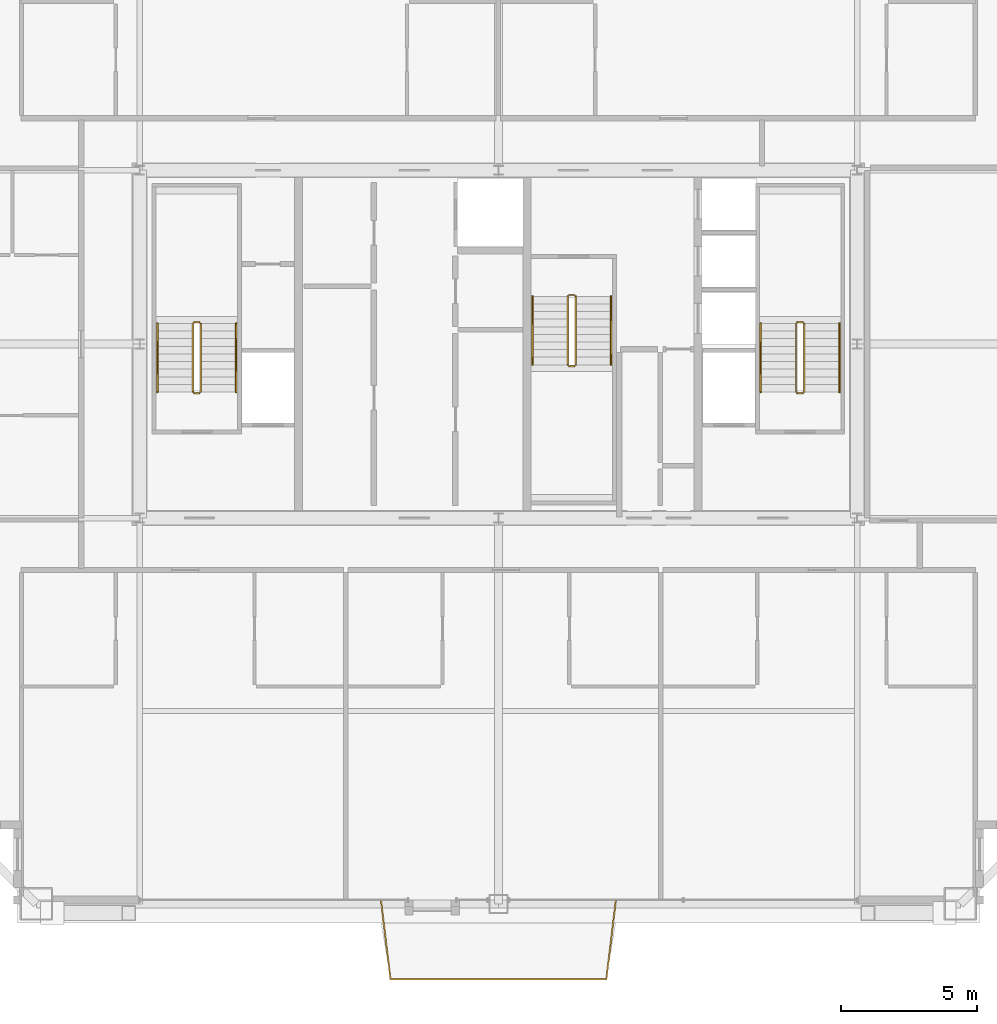
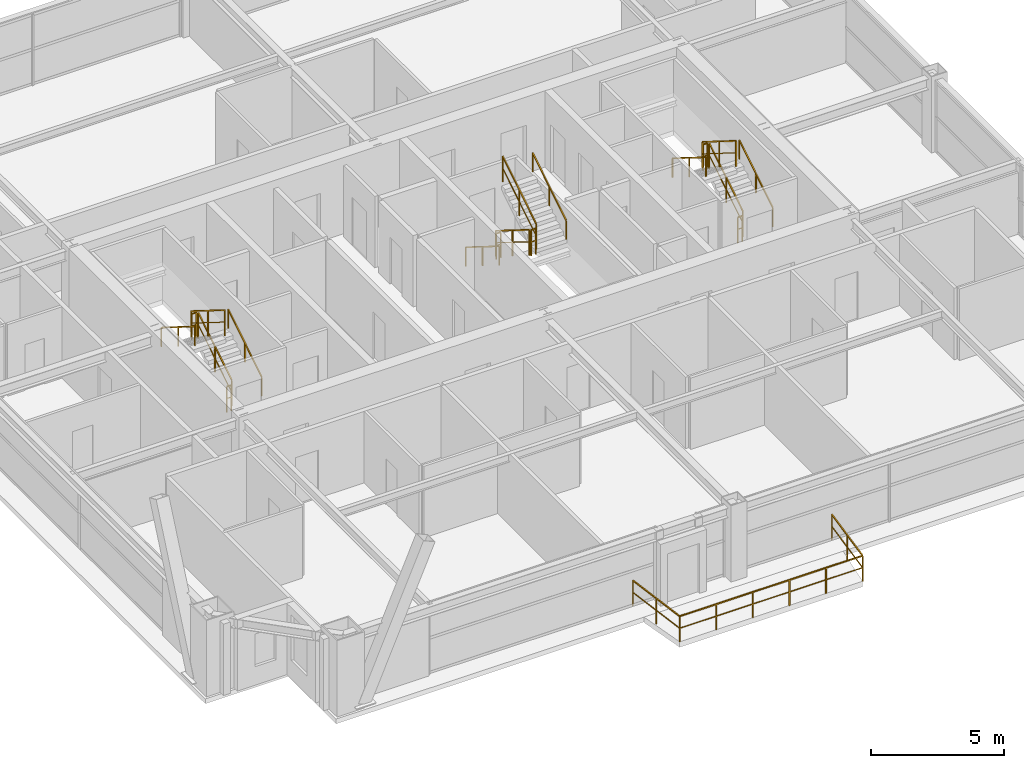
# One storey, part 35 of 35: 19 railings.
"""IFC4 building model written with IfcOpenShell, lengths in metres."""

from ifc_helpers import new_model, si_unit, direction, frame, origin, origin_2d, place, context, subcontext, project, spatial, rectangle, extrude, source, transform, mapped, material, layer, layer_set, type_object, element, save


model = new_model("IFC4")

# Units and contexts
model_context = context("Model", 3, precision=1e-05, world=origin(), true_north=direction((0.0, 1.0)))
body_context = subcontext(model_context, "Body", "Model", "MODEL_VIEW")
ifc_project = project(units=[si_unit("LENGTHUNIT", "METRE"), si_unit("AREAUNIT", "SQUARE_METRE"), si_unit("VOLUMEUNIT", "CUBIC_METRE"), si_unit("PLANEANGLEUNIT", "RADIAN"), si_unit("MASSUNIT", "GRAM", prefix="KILO"), si_unit("THERMODYNAMICTEMPERATUREUNIT", "KELVIN"), si_unit("POWERUNIT", "WATT")], contexts=[model_context])

# Site, building, storey
site_placement = place(None, origin())
site = spatial("IfcSite", under=ifc_project, at=site_placement, CompositionType="ELEMENT")
building_placement = place(site_placement, origin())
building = spatial("IfcBuilding", under=site, at=building_placement, Name="Yuzanri Waterfront Tower", CompositionType="ELEMENT")
storey_placement = place(building_placement, frame((0.0, 0.0, 271.60009765625)))
storey = spatial("IfcBuildingStorey", under=building, at=storey_placement, Name="L72", CompositionType="ELEMENT", Elevation=271.60009765625)

# Railings
ifc_material_1 = material(Name="Anodized Architectural Bronze", Category="metal")
ifc_layer_1 = layer(ifc_material_1, 0.080078125)
ifc_layer_set_1 = layer_set([ifc_layer_1], Name="Anodized Architectural Bronze")
railing_type_1 = type_object("IfcRailingType", Name="Laminated Glass and Bronze Balcony Guardrail 1200", PredefinedType="BALUSTRADE", material=ifc_layer_set_1)
shared_shape_1 = source(origin(), body_context, "Body", "SweptSolid", [
    extrude(rectangle(XDim=0.050048828125, YDim=0.050048828125, at=origin_2d()), frame((0.0, 0.0, 1.1748046875), z_axis=(0.118880429184, -0.992908577643, 0.0), x_axis=(0.992908577643, 0.118880429184, 0.0)), (0.0, 0.0, 1.0), 2.945068359375),
    extrude(rectangle(XDim=0.035888671875, YDim=0.030029296875, at=origin_2d()), frame((0.0, 0.0, 0.6240234375), z_axis=(0.118880429184, -0.992908577643, 0.0), x_axis=(0.992908577643, 0.118880429184, 0.0)), (0.0, 0.0, 1.0), 2.945068359375),
    extrude(rectangle(XDim=0.050048828125, YDim=0.050048828125, at=origin_2d()), frame((0.35009765625, -2.924072265625, 1.1748046875), z_axis=(1.0, 0.0, 0.0), x_axis=(0.0, 1.0, 0.0)), (0.0, 0.0, 1.0), 7.94580078125),
    extrude(rectangle(XDim=0.035888671875, YDim=0.030029296875, at=origin_2d()), frame((0.35009765625, -2.924072265625, 0.6240234375), z_axis=(1.0, 0.0, 0.0), x_axis=(0.0, 1.0, 0.0)), (0.0, 0.0, 1.0), 7.94580078125),
    extrude(rectangle(XDim=0.050048828125, YDim=0.050048828125, at=origin_2d()), frame((8.2958984375, -2.924072265625, 1.1748046875), z_axis=(0.118880429184, 0.992908577643, 0.0), x_axis=(-0.992908577643, 0.118880429184, 0.0)), (0.0, 0.0, 1.0), 2.945068359375),
    extrude(rectangle(XDim=0.035888671875, YDim=0.030029296875, at=origin_2d()), frame((8.2958984375, -2.924072265625, 0.6240234375), z_axis=(0.118880429184, 0.992908577643, 0.0), x_axis=(-0.992908577643, 0.118880429184, 0.0)), (0.0, 0.0, 1.0), 2.945068359375),
    extrude(rectangle(XDim=0.0458984375, YDim=0.0458984375, at=origin_2d()), origin(), (0.0, 0.0, 1.0), 1.14990234375),
    extrude(rectangle(XDim=0.0458984375, YDim=0.0458984375, at=origin_2d()), frame((0.175048828125, -1.4619140625, 0.0)), (0.0, 0.0, 1.0), 1.14990234375),
    extrude(rectangle(XDim=0.0458984375, YDim=0.0458984375, at=origin_2d()), frame((0.35009765625, -2.924072265625, 0.0)), (0.0, 0.0, 1.0), 1.14990234375),
    extrude(rectangle(XDim=0.0458984375, YDim=0.0458984375, at=origin_2d()), frame((1.939208984375, -2.924072265625, 0.0)), (0.0, 0.0, 1.0), 1.14990234375),
    extrude(rectangle(XDim=0.0458984375, YDim=0.0458984375, at=origin_2d()), frame((3.5283203125, -2.924072265625, 0.0)), (0.0, 0.0, 1.0), 1.14990234375),
    extrude(rectangle(XDim=0.0458984375, YDim=0.0458984375, at=origin_2d()), frame((5.11767578125, -2.924072265625, 0.0)), (0.0, 0.0, 1.0), 1.14990234375),
    extrude(rectangle(XDim=0.0458984375, YDim=0.0458984375, at=origin_2d()), frame((6.706787109375, -2.924072265625, 0.0)), (0.0, 0.0, 1.0), 1.14990234375),
    extrude(rectangle(XDim=0.0458984375, YDim=0.0458984375, at=origin_2d()), frame((8.2958984375, -2.924072265625, 0.0)), (0.0, 0.0, 1.0), 1.14990234375),
    extrude(rectangle(XDim=0.0458984375, YDim=0.0458984375, at=origin_2d()), frame((8.470947265625, -1.4619140625, 0.0)), (0.0, 0.0, 1.0), 1.14990234375),
    extrude(rectangle(XDim=0.0458984375, YDim=0.0458984375, at=origin_2d()), frame((8.64599609375, 0.0, 0.0)), (0.0, 0.0, 1.0), 1.14990234375),
])
railing_placement = place(storey_placement, frame((32.677001953125, 5.35009765625, 0.0)))
element("IfcRailing", 1, at=railing_placement, inside=storey, type_object=railing_type_1, Name="L72 S Engawa Terrace Guardrail", PredefinedType="BALUSTRADE", context=body_context, shape_type="MappedRepresentation", body=[
    mapped(shared_shape_1, transform((0.0, 0.0, 0.0), scale=1.0)),
])
ifc_material_2 = material(Name="Painted Galvanized Fire Steel", Category="steel")
ifc_layer_2 = layer(ifc_material_2, 0.06005859375)
ifc_layer_set_2 = layer_set([ifc_layer_2], Name="Painted Galvanized Fire Steel")
railing_type_2 = type_object("IfcRailingType", Name="Painted Steel Stairwell Guardrail 1120", PredefinedType="GUARDRAIL", material=ifc_layer_set_2)
shared_shape_2 = source(origin(), body_context, "Body", "SweptSolid", [
    extrude(rectangle(XDim=0.050048828125, YDim=0.050048828125, at=origin_2d()), frame((0.0, 0.0, 1.1748046875), z_axis=(-1.0, 0.0, 0.0), x_axis=(0.0, -1.0, 0.0)), (0.0, 0.0, 1.0), 0.199951171875),
    extrude(rectangle(XDim=0.035888671875, YDim=0.030029296875, at=origin_2d()), frame((0.0, 0.0, 0.6240234375), z_axis=(-1.0, 0.0, 0.0), x_axis=(0.0, -1.0, 0.0)), (0.0, 0.0, 1.0), 0.199951171875),
    extrude(rectangle(XDim=0.0458984375, YDim=0.0458984375, at=origin_2d()), origin(), (0.0, 0.0, 1.0), 1.14990234375),
    extrude(rectangle(XDim=0.0458984375, YDim=0.0458984375, at=origin_2d()), frame((-0.199951171875, 0.0, 0.0)), (0.0, 0.0, 1.0), 1.14990234375),
])
for number, where, name in (
    (2, (26.0, 26.610107421875, 1.75), "L72 ST-01 stair guard 2"),
    (3, (26.0, 23.989990234375, 0.0), "L72 ST-01 stair guard 4"),
    (4, (48.199951171875, 26.610107421875, 1.75), "L72 ST-02 stair guard 2"),
    (5, (48.199951171875, 23.989990234375, 0.0), "L72 ST-02 stair guard 4"),
):
    element("IfcRailing", number, at=place(storey_placement, frame(where)), inside=storey, type_object=railing_type_2, Name=name, PredefinedType="GUARDRAIL", context=body_context, shape_type="MappedRepresentation", body=[
        mapped(shared_shape_2, transform((0.0, 0.0, 0.0), scale=1.0)),
    ])
shared_shape_3 = source(origin(), body_context, "Body", "SweptSolid", [
    extrude(rectangle(XDim=0.050048828125, YDim=0.050048828125, at=origin_2d()), frame((0.0, 0.0, 1.1748046875), z_axis=(0.0, 0.847970611238, 0.530043245855), x_axis=(-1.0, 0.0, 0.0)), (0.0, 0.0, 1.0), 2.971923828125),
    extrude(rectangle(XDim=0.035888671875, YDim=0.030029296875, at=origin_2d()), frame((0.0, 0.0, 0.6240234375), z_axis=(0.0, 0.847970611238, 0.530043245855), x_axis=(-1.0, 0.0, 0.0)), (0.0, 0.0, 1.0), 2.971923828125),
    extrude(rectangle(XDim=0.0458984375, YDim=0.0458984375, at=origin_2d()), origin(), (0.0, 0.0, 1.0), 1.14990234375),
    extrude(rectangle(XDim=0.0458984375, YDim=0.0458984375, at=origin_2d()), frame((0.0, 1.260009765625, 0.78759765625)), (0.0, 0.0, 1.0), 1.14990234375),
    extrude(rectangle(XDim=0.0458984375, YDim=0.0458984375, at=origin_2d()), frame((0.0, 2.52001953125, 1.5751953125)), (0.0, 0.0, 1.0), 1.14990234375),
])
for number, where, name in (
    (6, (26.050048828125, 24.0400390625, 0.1748046875), "L72 ST-01 stair guard 1"),
    (7, (48.25, 24.0400390625, 0.1748046875), "L72 ST-02 stair guard 1"),
    (8, (39.85009765625, 25.0400390625, 1.9248046875), "L72 ST-03 stair guard 3"),
):
    element("IfcRailing", number, at=place(storey_placement, frame(where)), inside=storey, type_object=railing_type_2, Name=name, PredefinedType="GUARDRAIL", context=body_context, shape_type="MappedRepresentation", body=[
        mapped(shared_shape_3, transform((0.0, 0.0, 0.0), scale=1.0)),
    ])
shared_shape_4 = source(origin(), body_context, "Body", "SweptSolid", [
    extrude(rectangle(XDim=0.050048828125, YDim=0.050048828125, at=origin_2d()), frame((0.0, 0.0, 1.1748046875), z_axis=(0.0, -0.847970611238, 0.530043245855), x_axis=(1.0, 0.0, 0.0)), (0.0, 0.0, 1.0), 2.971923828125),
    extrude(rectangle(XDim=0.035888671875, YDim=0.030029296875, at=origin_2d()), frame((0.0, 0.0, 0.6240234375), z_axis=(0.0, -0.847970611238, 0.530043245855), x_axis=(1.0, 0.0, 0.0)), (0.0, 0.0, 1.0), 2.971923828125),
    extrude(rectangle(XDim=0.0458984375, YDim=0.0458984375, at=origin_2d()), origin(), (0.0, 0.0, 1.0), 1.14990234375),
    extrude(rectangle(XDim=0.0458984375, YDim=0.0458984375, at=origin_2d()), frame((0.0, -1.260009765625, 0.78759765625)), (0.0, 0.0, 1.0), 1.14990234375),
    extrude(rectangle(XDim=0.0458984375, YDim=0.0458984375, at=origin_2d()), frame((0.0, -2.52001953125, 1.5751953125)), (0.0, 0.0, 1.0), 1.14990234375),
])
for number, where, name in (
    (9, (25.75, 26.56005859375, 1.9248046875), "L72 ST-01 stair guard 3"),
    (10, (47.949951171875, 26.56005859375, 1.9248046875), "L72 ST-02 stair guard 3"),
    (11, (39.550048828125, 27.56005859375, 0.1748046875), "L72 ST-03 stair guard 1"),
):
    element("IfcRailing", number, at=place(storey_placement, frame(where)), inside=storey, type_object=railing_type_2, Name=name, PredefinedType="GUARDRAIL", context=body_context, shape_type="MappedRepresentation", body=[
        mapped(shared_shape_4, transform((0.0, 0.0, 0.0), scale=1.0)),
    ])
ifc_material_3 = material(Name="Anodized Architectural Bronze", Category="metal")
ifc_layer_3 = layer(ifc_material_3, 0.050048828125)
ifc_layer_set_3 = layer_set([ifc_layer_3], Name="Anodized Architectural Bronze")
railing_type_3 = type_object("IfcRailingType", Name="Brushed Bronze Stair Pitch Handrail 920", PredefinedType="HANDRAIL", material=ifc_layer_set_3)
shared_shape_5 = source(origin(), body_context, "Body", "SweptSolid", [
    extrude(rectangle(XDim=0.050048828125, YDim=0.050048828125, at=origin_2d()), frame((0.0, 0.0, 0.875), z_axis=(0.0, 0.847970611238, 0.530043245855), x_axis=(-1.0, 0.0, 0.0)), (0.0, 0.0, 1.0), 2.971923828125),
    extrude(rectangle(XDim=0.0458984375, YDim=0.0458984375, at=origin_2d()), origin(), (0.0, 0.0, 1.0), 0.849853515625),
    extrude(rectangle(XDim=0.0458984375, YDim=0.0458984375, at=origin_2d()), frame((0.0, 1.260009765625, 0.78759765625)), (0.0, 0.0, 1.0), 0.849853515625),
    extrude(rectangle(XDim=0.0458984375, YDim=0.0458984375, at=origin_2d()), frame((0.0, 2.52001953125, 1.5751953125)), (0.0, 0.0, 1.0), 0.849853515625),
])
for number, where, name in (
    (12, (27.35009765625, 24.0400390625, 0.1748046875), "L72 ST-01 stair handrail 1"),
    (13, (49.550048828125, 24.0400390625, 0.1748046875), "L72 ST-02 stair handrail 1"),
    (14, (41.14990234375, 25.0400390625, 1.9248046875), "L72 ST-03 stair handrail 2"),
):
    element("IfcRailing", number, at=place(storey_placement, frame(where)), inside=storey, type_object=railing_type_3, Name=name, PredefinedType="HANDRAIL", context=body_context, shape_type="MappedRepresentation", body=[
        mapped(shared_shape_5, transform((0.0, 0.0, 0.0), scale=1.0)),
    ])
shared_shape_6 = source(origin(), body_context, "Body", "SweptSolid", [
    extrude(rectangle(XDim=0.050048828125, YDim=0.050048828125, at=origin_2d()), frame((0.0, 0.0, 0.875), z_axis=(0.0, -0.847970611238, 0.530043245855), x_axis=(1.0, 0.0, 0.0)), (0.0, 0.0, 1.0), 2.971923828125),
    extrude(rectangle(XDim=0.0458984375, YDim=0.0458984375, at=origin_2d()), origin(), (0.0, 0.0, 1.0), 0.849853515625),
    extrude(rectangle(XDim=0.0458984375, YDim=0.0458984375, at=origin_2d()), frame((0.0, -1.260009765625, 0.78759765625)), (0.0, 0.0, 1.0), 0.849853515625),
    extrude(rectangle(XDim=0.0458984375, YDim=0.0458984375, at=origin_2d()), frame((0.0, -2.52001953125, 1.5751953125)), (0.0, 0.0, 1.0), 0.849853515625),
])
for number, where, name in (
    (15, (24.449951171875, 26.56005859375, 1.9248046875), "L72 ST-01 stair handrail 2"),
    (16, (46.64990234375, 26.56005859375, 1.9248046875), "L72 ST-02 stair handrail 2"),
    (17, (38.25, 27.56005859375, 0.1748046875), "L72 ST-03 stair handrail 1"),
):
    element("IfcRailing", number, at=place(storey_placement, frame(where)), inside=storey, type_object=railing_type_3, Name=name, PredefinedType="HANDRAIL", context=body_context, shape_type="MappedRepresentation", body=[
        mapped(shared_shape_6, transform((0.0, 0.0, 0.0), scale=1.0)),
    ])
shared_shape_7 = source(origin(), body_context, "Body", "SweptSolid", [
    extrude(rectangle(XDim=0.050048828125, YDim=0.050048828125, at=origin_2d()), frame((0.0, 0.0, 1.1748046875), z_axis=(1.0, 0.0, 0.0), x_axis=(0.0, 1.0, 0.0)), (0.0, 0.0, 1.0), 0.199951171875),
    extrude(rectangle(XDim=0.035888671875, YDim=0.030029296875, at=origin_2d()), frame((0.0, 0.0, 0.6240234375), z_axis=(1.0, 0.0, 0.0), x_axis=(0.0, 1.0, 0.0)), (0.0, 0.0, 1.0), 0.199951171875),
    extrude(rectangle(XDim=0.0458984375, YDim=0.0458984375, at=origin_2d()), origin(), (0.0, 0.0, 1.0), 1.14990234375),
    extrude(rectangle(XDim=0.0458984375, YDim=0.0458984375, at=origin_2d()), frame((0.199951171875, 0.0, 0.0)), (0.0, 0.0, 1.0), 1.14990234375),
])
for number, where, name in (
    (18, (39.60009765625, 24.989990234375, 1.75), "L72 ST-03 stair guard 2"),
    (19, (39.60009765625, 27.610107421875, 0.0), "L72 ST-03 stair guard 4"),
):
    element("IfcRailing", number, at=place(storey_placement, frame(where)), inside=storey, type_object=railing_type_2, Name=name, PredefinedType="GUARDRAIL", context=body_context, shape_type="MappedRepresentation", body=[
        mapped(shared_shape_7, transform((0.0, 0.0, 0.0), scale=1.0)),
    ])

save(model, "model.ifc")
